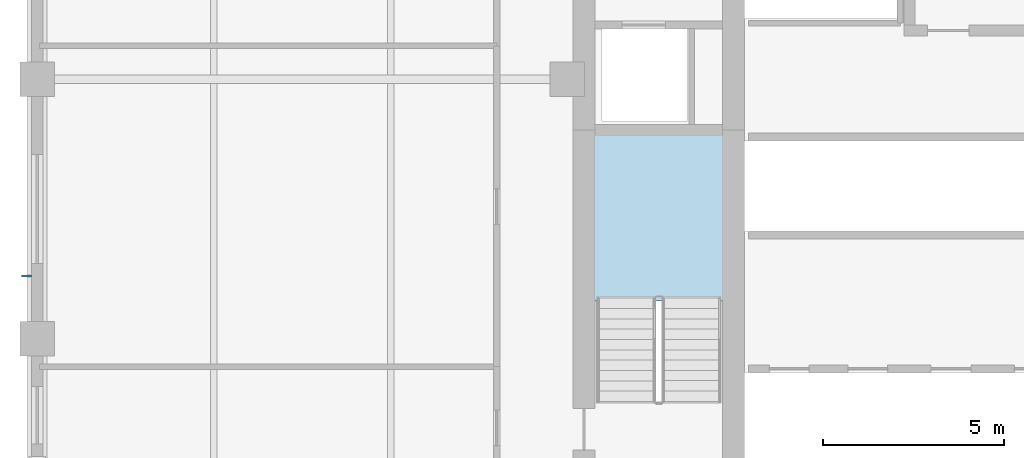
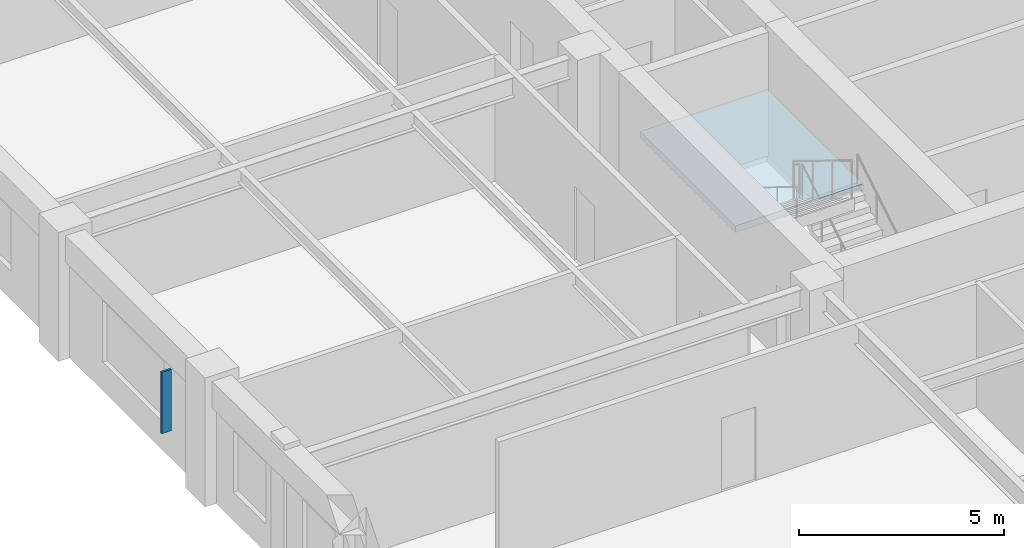
# One storey, part 3 of 11: 1 plate, 1 slab, 1 element without a shape of its own.
"""IFC4 building model written with IfcOpenShell, lengths in metres."""

from ifc_helpers import new_model, si_unit, direction, frame, origin, origin_2d, place, context, subcontext, project, spatial, polyline, rectangle, outline, extrude, material, layer, layer_set, type_object, element, aggregate, save


model = new_model("IFC4")

# Units and contexts
model_context = context("Model", 3, precision=1e-05, world=origin(), true_north=direction((0.0, 1.0)))
body_context = subcontext(model_context, "Body", "Model", "MODEL_VIEW")
ifc_project = project(units=[si_unit("LENGTHUNIT", "METRE"), si_unit("AREAUNIT", "SQUARE_METRE"), si_unit("VOLUMEUNIT", "CUBIC_METRE"), si_unit("PLANEANGLEUNIT", "RADIAN"), si_unit("MASSUNIT", "GRAM", prefix="KILO")], contexts=[model_context])

# Site, building, storey
site_placement = place(None, origin())
site = spatial("IfcSite", under=ifc_project, at=site_placement, CompositionType="ELEMENT")
building_placement = place(site_placement, origin())
building = spatial("IfcBuilding", under=site, at=building_placement, Name="Nhamokura Convention Tower", CompositionType="ELEMENT")
storey_placement = place(building_placement, frame((0.0, 0.0, 133.699951171875)))
storey = spatial("IfcBuildingStorey", under=building, at=storey_placement, Name="L32", CompositionType="ELEMENT", Elevation=133.699951171875)

# Plate
ifc_material_1 = material(Name="Anodised bronze aluminium AA6063-T6", Category="aluminium")
plate_type = type_object("IfcPlateType", Name="BronzeSolarFin_2", PredefinedType="USERDEFINED", material=ifc_material_1)
plate_placement = place(storey_placement, frame((5.699951171875, 26.566650390625, 0.85009765625), z_axis=(0.0, 0.0, 1.0), x_axis=(1.0, 0.0, 0.0)))
element("IfcPlate", 1, at=plate_placement, inside=storey, type_object=plate_type, Name="L32 Bronze Solar Shading Fin WEST 2", ObjectType="SOLAR_FIN", PredefinedType="USERDEFINED", context=body_context, shape_type="SweptSolid", body=[
    extrude(rectangle(XDim=0.280029296875, YDim=0.06005859375, at=origin_2d()), origin(), (0.0, 0.0, 1.0), 1.8349609375),
])

# Stair, slab
ifc_material_2 = material(Name="Concrete C40/50", Category="concrete")
stair_type = type_object("IfcStairType", Name="TowerCoreStair_1650", PredefinedType="HALF_TURN_STAIR", material=ifc_material_2)
stair_placement = place(storey_placement, origin())
stair = element("IfcStair", 2, at=stair_placement, inside=storey, type_object=stair_type, Name="L32 West Core Smokeproof Stair ST-01", PredefinedType="HALF_TURN_STAIR")
ifc_material_3 = material(Name="Concrete C40/50", Category="concrete")
ifc_layer = layer(ifc_material_3, 0.199951171875)
ifc_layer_set = layer_set([ifc_layer], Name="StairLandingSlab_200")
slab_type = type_object("IfcSlabType", Name="StairLandingSlab_200", PredefinedType="LANDING", material=ifc_layer_set)
slab_placement = place(storey_placement, frame((0.0, 0.0, 1.72509765625)))
slab = element("IfcSlab", 3, at=slab_placement, type_object=slab_type, Name="ST-01 landing 1", PredefinedType="LANDING", context=body_context, shape_type="SweptSolid", body=[
    extrude(outline(polyline([(24.97998046875, 25.8701171875), (24.97998046875, 30.530029296875), (21.3701171875, 30.530029296875), (21.3701171875, 25.8701171875), (24.97998046875, 25.8701171875)])), origin(), (0.0, 0.0, 1.0), 0.199951171875),
])
aggregate(stair, [slab])

save(model, "model.ifc")
